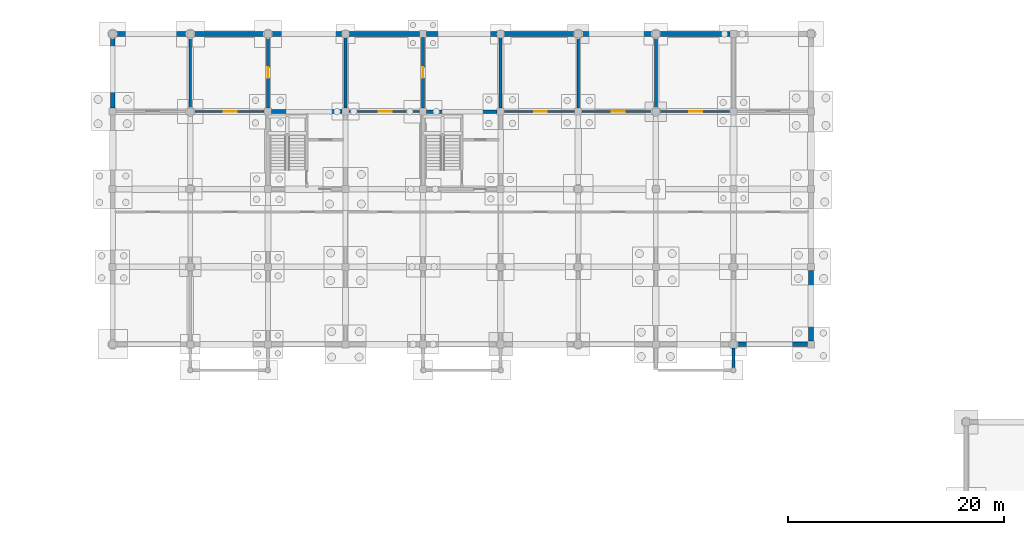
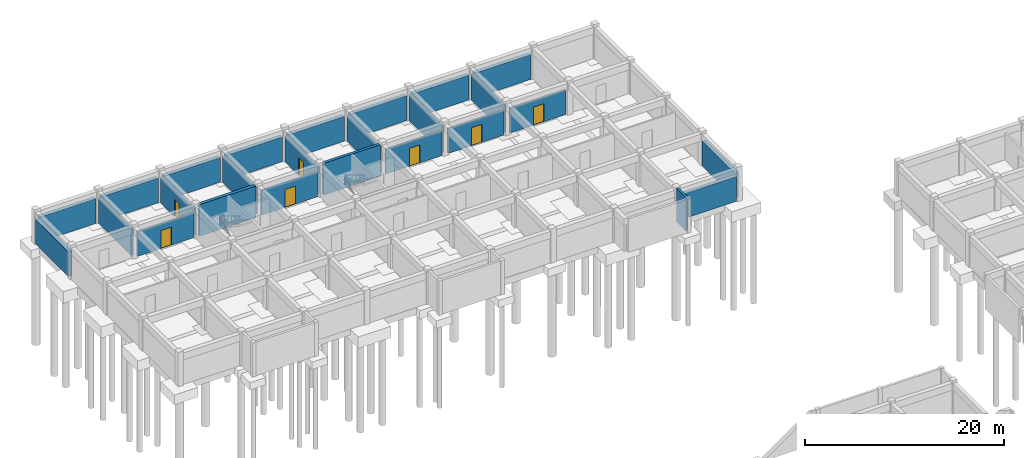
# One storey, part 32 of 38: 26 walls, 7 doors, 7 openings.
"""IFC4 building model written with IfcOpenShell, lengths in metres."""

import ifcopenshell
import ifcopenshell.guid

model = None  # the IFC model being written
_history = None  # IfcOwnerHistory: only IFC2X3 demands one
_inside = {}  # id of a spatial element -> (the spatial element, [elements in it])
_under = {}  # id of a project, library or spatial element -> (it, [spatial elements below it])
_declared = {}  # id of a project -> (the project, [libraries it declares])
_typed = {}  # id of a type object -> (the type object, [elements of that type])
_made_of = {}  # id of a material, layer set ... -> (it, [elements and type objects made of it])


def new_model(schema):
    """Start an empty IFC model of exactly this schema.

    Asked for "IFC4X3", IfcOpenShell would pick the latest addendum, in which some entities
    have other attributes; the version numbers below select the first issue.
    IFC2X3 requires an IfcOwnerHistory on every rooted entity: one is made here for all.
    """
    global model, _history
    if schema == "IFC4X3":
        model = ifcopenshell.file(schema_version=(4, 3, 0, 0))
    else:
        model = ifcopenshell.file(schema=schema)
    _inside.clear()
    _under.clear()
    _declared.clear()
    _typed.clear()
    _made_of.clear()
    _history = None
    if model.schema == "IFC2X3":
        org = make("IfcOrganization", Name="unknown")
        user = make(
            "IfcPersonAndOrganization",
            ThePerson=make("IfcPerson", FamilyName="unknown"),
            TheOrganization=org,
        )
        app = make(
            "IfcApplication",
            ApplicationDeveloper=org,
            Version="unknown",
            ApplicationFullName="unknown",
            ApplicationIdentifier="unknown",
        )
        _history = make(
            "IfcOwnerHistory",
            OwningUser=user,
            OwningApplication=app,
            ChangeAction="ADDED",
            CreationDate=0,
        )
    return model


def make(cls, **values):
    """One entity of the class cls with the attributes given. An attribute that is None is left unset."""
    return model.create_entity(
        cls, **{name: value for name, value in values.items() if value is not None}
    )


def rooted(cls, **values):
    """An entity with a GlobalId (a new one), such as an element, a storey or a relation."""
    return make(cls, GlobalId=ifcopenshell.guid.new(), OwnerHistory=_history, **values)


def si_unit(unit_type, name, prefix=None):
    """IfcSIUnit, for example si_unit("LENGTHUNIT", "METRE", prefix="MILLI")."""
    return make("IfcSIUnit", UnitType=unit_type, Prefix=prefix, Name=name)


def assignment(units):
    """IfcUnitAssignment: the units of a project."""
    return None if units is None else make("IfcUnitAssignment", Units=units)


def point(xyz):
    """IfcCartesianPoint."""
    return None if xyz is None else make("IfcCartesianPoint", Coordinates=xyz)


def direction(xyz):
    """IfcDirection."""
    return None if xyz is None else make("IfcDirection", DirectionRatios=xyz)


def frame(location, z_axis=None, x_axis=None):
    """IfcAxis2Placement3D, a coordinate frame: its origin and axes. An axis left out is left unset."""
    return make(
        "IfcAxis2Placement3D",
        Location=point(location),
        Axis=direction(z_axis),
        RefDirection=direction(x_axis),
    )


def frame_2d(location, x_axis=None):
    """IfcAxis2Placement2D, a coordinate frame in the plane: its origin and x axis."""
    return make(
        "IfcAxis2Placement2D", Location=point(location), RefDirection=direction(x_axis)
    )


def origin():
    """The frame at (0, 0, 0) with its axes left unset."""
    return frame((0.0, 0.0, 0.0))


def place(relative_to, where):
    """IfcLocalPlacement: puts the frame where relative to a parent placement (None: the world)."""
    return make(
        "IfcLocalPlacement", PlacementRelTo=relative_to, RelativePlacement=where
    )


def context(
    kind, dimensions, precision=None, world=None, true_north=None, identifier=None
):
    """IfcGeometricRepresentationContext, for example the 3D "Model" context."""
    return make(
        "IfcGeometricRepresentationContext",
        ContextIdentifier=identifier,
        ContextType=kind,
        CoordinateSpaceDimension=dimensions,
        Precision=precision,
        WorldCoordinateSystem=world,
        TrueNorth=true_north,
    )


def subcontext(parent, identifier, kind, view, scale=None):
    """IfcGeometricRepresentationSubContext, for example "Body" below "Model"."""
    return make(
        "IfcGeometricRepresentationSubContext",
        ContextIdentifier=identifier,
        ContextType=kind,
        ParentContext=parent,
        TargetScale=scale,
        TargetView=view,
    )


def project(units=None, contexts=None):
    """IfcProject with its units and contexts."""
    return rooted(
        "IfcProject",
        Name="project",
        RepresentationContexts=contexts,
        UnitsInContext=assignment(units),
    )


def spatial(cls, under=None, at=None, **own):
    """A site, building, storey or space (cls), placed at a placement, below another one or the project."""
    s = rooted(cls, ObjectPlacement=at, **own)
    if under is not None:
        _under.setdefault(under.id(), (under, []))[1].append(s)
    return s


def profile(cls, at=None, kind="AREA", **sizes):
    """A parametric profile (cls). Its sizes go by their IFC names, for example OverallWidth=200.0."""
    return make(cls, ProfileType=kind, Position=at, **sizes)


def rectangle(**sizes):
    """IfcRectangleProfileDef."""
    return profile("IfcRectangleProfileDef", **sizes)


def extrude(swept, where, along, depth):
    """IfcExtrudedAreaSolid: the profile swept, set in the frame where, extruded along a direction by depth."""
    return make(
        "IfcExtrudedAreaSolid",
        SweptArea=swept,
        Position=where,
        ExtrudedDirection=direction(along),
        Depth=depth,
    )


def shape(context_of_items, identifier, shape_type, items):
    """IfcShapeRepresentation: the items that make up one representation, for example the "Body"."""
    return make(
        "IfcShapeRepresentation",
        ContextOfItems=context_of_items,
        RepresentationIdentifier=identifier,
        RepresentationType=shape_type,
        Items=items,
    )


def material(Name=None, Category=None):
    """IfcMaterial."""
    return make("IfcMaterial", Name=Name, Category=Category)


def layer(
    of_material, thickness, ventilated=None, Name=None, Category=None, Priority=None
):
    """IfcMaterialLayer: one layer of a wall or slab, of a material (None: an air gap)."""
    return make(
        "IfcMaterialLayer",
        Material=of_material,
        LayerThickness=thickness,
        IsVentilated=ventilated,
        Name=Name,
        Category=Category,
        Priority=Priority,
    )


def layer_set(layers, Name=None):
    """IfcMaterialLayerSet."""
    return make("IfcMaterialLayerSet", MaterialLayers=layers, LayerSetName=Name)


def made_of(thing, what):
    """Note that an element or type object is made of a material, layer set ...; save() writes the relation."""
    if what is not None:
        _made_of.setdefault(what.id(), (what, []))[1].append(thing)
    return thing


def type_object(cls, material=None, **own):
    """A type object (cls), such as IfcWallType, which elements share."""
    return made_of(rooted(cls, **own), material)


def element(
    cls,
    number,
    at=None,
    inside=None,
    cuts=None,
    type_object=None,
    material=None,
    context=None,
    identifier="Body",
    shape_type=None,
    held_by="IfcProductDefinitionShape",
    body=None,
    shapes=None,
    **own,
):
    """One element of the class cls, such as IfcWall. Its Tag is "e" and its number.

    at: its placement. inside: the storey or other place that contains it. cuts: it is an
    opening in that element (IfcRelVoidsElement). A single representation is given by context,
    identifier, shape_type and body (its items); several are given by shapes. held_by: the class
    of the entity that holds the representations. save() writes the other relations.
    """
    e = rooted(cls, Tag="e%d" % number, ObjectPlacement=at, **own)
    if body is not None:
        shapes = [shape(context, identifier, shape_type, body)]
    if shapes is not None:
        e.Representation = make(held_by, Representations=shapes)
    if inside is not None:
        _inside.setdefault(inside.id(), (inside, []))[1].append(e)
    if cuts is not None:
        rooted(
            "IfcRelVoidsElement", RelatingBuildingElement=cuts, RelatedOpeningElement=e
        )
    if type_object is not None:
        _typed.setdefault(type_object.id(), (type_object, []))[1].append(e)
    return made_of(e, material)


def fill(opening, filler):
    """IfcRelFillsElement: the door or window that sits in an opening."""
    return rooted(
        "IfcRelFillsElement",
        RelatingOpeningElement=opening,
        RelatedBuildingElement=filler,
    )


def aggregate(whole, parts):
    """IfcRelAggregates: a whole, such as a stair, and the parts it consists of."""
    return rooted("IfcRelAggregates", RelatingObject=whole, RelatedObjects=parts)


def save(model, path):
    """Write the relations noted so far, then the file.

    IfcRelAggregates (storeys below a building ...), IfcRelContainedInSpatialStructure (elements
    in a storey), IfcRelDefinesByType, IfcRelAssociatesMaterial and IfcRelDeclares: one each for
    every whole, place, type object, material and project.
    """
    for whole, parts in _under.values():
        aggregate(whole, parts)
    for where, things in _inside.values():
        rooted(
            "IfcRelContainedInSpatialStructure",
            RelatedElements=things,
            RelatingStructure=where,
        )
    for kind, things in _typed.values():
        rooted("IfcRelDefinesByType", RelatedObjects=things, RelatingType=kind)
    for what, things in _made_of.values():
        rooted("IfcRelAssociatesMaterial", RelatedObjects=things, RelatingMaterial=what)
    for by, libraries in _declared.values():
        rooted("IfcRelDeclares", RelatingContext=by, RelatedDefinitions=libraries)
    model.write(path)


model = new_model("IFC4")

# Units and contexts
model_context = context("Model", 3, precision=1e-05, world=origin(), true_north=direction((0.0, 1.0)))
body_context = subcontext(model_context, "Body", "Model", "MODEL_VIEW")
ifc_project = project(units=[si_unit("LENGTHUNIT", "METRE"), si_unit("AREAUNIT", "SQUARE_METRE"), si_unit("VOLUMEUNIT", "CUBIC_METRE"), si_unit("PLANEANGLEUNIT", "RADIAN"), si_unit("MASSUNIT", "GRAM", prefix="KILO"), si_unit("THERMODYNAMICTEMPERATUREUNIT", "KELVIN"), si_unit("POWERUNIT", "WATT")], contexts=[model_context])

# Site, building, storey
site_placement = place(None, origin())
site = spatial("IfcSite", under=ifc_project, at=site_placement, CompositionType="ELEMENT")
building_placement = place(site_placement, origin())
building = spatial("IfcBuilding", under=site, at=building_placement, Name="Tavuni Mirador Residences", CompositionType="ELEMENT")
storey_placement = place(building_placement, frame((0.0, 0.0, -4.199951171875)))
storey = spatial("IfcBuildingStorey", under=building, at=storey_placement, Name="B1", CompositionType="ELEMENT", Elevation=-4.199951171875)

# Walls
ifc_material_1 = material(Name="Precast concrete C40/50", Category="concrete")
ifc_layer_1 = layer(ifc_material_1, 0.320068359375, Name="Precast concrete C40/50", Category="concrete")
ifc_layer_set_1 = layer_set([ifc_layer_1], Name="Precast concrete C40/50")
wall_type_1 = type_object("IfcWallType", Name="WT-COR320", PredefinedType="SHEAR", material=ifc_layer_set_1)
wall_1_placement = place(storey_placement, frame((39.925048828125, 165.60009765625, 0.0), z_axis=(0.0, 0.0, 1.0), x_axis=(1.0, 0.0, 0.0)))
element("IfcWall", 1, at=wall_1_placement, inside=storey, type_object=wall_type_1, Name="CWALL-C6-B1-N", PredefinedType="SHEAR", context=body_context, shape_type="SweptSolid", body=[
    extrude(rectangle(XDim=6.550048828125, YDim=0.320068359375, at=frame_2d((3.27490234375, 0.0))), origin(), (0.0, 0.0, 1.0), 3.8798828125),
])
ifc_layer_2 = layer(ifc_material_1, 0.360107421875, Name="Precast concrete C40/50", Category="concrete")
ifc_layer_set_2 = layer_set([ifc_layer_2], Name="Precast concrete C40/50")
wall_type_2 = type_object("IfcWallType", Name="WT-COR360", PredefinedType="SHEAR", material=ifc_layer_set_2)
wall_2_placement = place(storey_placement, frame((25.52490234375, 165.60009765625, 0.0), z_axis=(0.0, 0.0, 1.0), x_axis=(1.0, 0.0, 0.0)))
element("IfcWall", 2, at=wall_2_placement, inside=storey, type_object=wall_type_2, Name="CWALL-C5-B1-N", PredefinedType="SHEAR", context=body_context, shape_type="SweptSolid", body=[
    extrude(rectangle(XDim=6.550048828125, YDim=0.360107421875, at=frame_2d((3.27490234375, 0.0))), origin(), (0.0, 0.0, 1.0), 3.8798828125),
])

# Wall, opening, door
ifc_layer_3 = layer(ifc_material_1, 0.18505859375, Name="Precast concrete C40/50", Category="concrete")
ifc_layer_set_3 = layer_set([ifc_layer_3], Name="Precast concrete C40/50")
wall_type_3 = type_object("IfcWallType", Name="WT-CORR185", PredefinedType="PARTITIONING", material=ifc_layer_set_3)
wall_3_placement = place(storey_placement, frame((18.35009765625, 165.60009765625, 0.0), z_axis=(0.0, 0.0, 1.0), x_axis=(1.0, 0.0, 0.0)))
wall_3 = element("IfcWall", 3, at=wall_3_placement, inside=storey, type_object=wall_type_3, Name="CORW-BLK-C-B1-1-01", PredefinedType="PARTITIONING", context=body_context, shape_type="SweptSolid", body=[
    extrude(rectangle(XDim=6.5, YDim=0.18505859375, at=frame_2d((3.25, 0.0))), origin(), (0.0, 0.0, 1.0), 3.030029296875),
])
opening_1_placement = place(wall_3_placement, frame((2.75, 0.0, 0.0)))
opening_1 = element("IfcOpeningElement", 4, at=opening_1_placement, cuts=wall_3, Name="Opening D-18", PredefinedType="OPENING", context=body_context, shape_type="SweptSolid", body=[
    extrude(rectangle(XDim=1.199951171875, YDim=2.199951171875, at=frame_2d((0.60009765625, 1.10009765625))), frame((0.0, 0.1025390625, 0.0), z_axis=(0.0, -1.0, 0.0), x_axis=(1.0, 0.0, 0.0)), (0.0, 0.0, 1.0), 0.205078125),
])
ifc_material_2 = material(Name="Structural steel S355", Category="steel")
door_type_1 = type_object("IfcDoorType", Name="DT-PLT1200", OperationType="NOTDEFINED", PredefinedType="DOOR", material=ifc_material_2)
door_1_placement = place(opening_1_placement, origin())
door_1 = element("IfcDoor", 5, at=door_1_placement, inside=storey, type_object=door_type_1, Name="DR-2605", OperationType="SINGLE_SWING_RIGHT", OverallHeight=2.199951171875, OverallWidth=1.199951171875, PredefinedType="DOOR", context=body_context, shape_type="SweptSolid", body=[
    extrude(rectangle(XDim=1.199951171875, YDim=2.199951171875, at=frame_2d((0.60009765625, 1.10009765625))), frame((0.0, 0.02490234375, 0.0), z_axis=(0.0, -1.0, 0.0), x_axis=(1.0, 0.0, 0.0)), (0.0, 0.0, 1.0), 0.050048828125),
])
fill(opening_1, door_1)

wall_4_placement = place(storey_placement, frame((32.75, 165.60009765625, 0.0), z_axis=(0.0, 0.0, 1.0), x_axis=(1.0, 0.0, 0.0)))
wall_4 = element("IfcWall", 6, at=wall_4_placement, inside=storey, type_object=wall_type_3, Name="CORW-BLK-C-B1-1-03", PredefinedType="PARTITIONING", context=body_context, shape_type="SweptSolid", body=[
    extrude(rectangle(XDim=6.5, YDim=0.18505859375, at=frame_2d((3.25, 0.0))), origin(), (0.0, 0.0, 1.0), 3.030029296875),
])
opening_2_placement = place(wall_4_placement, frame((2.75, 0.0, 0.0)))
opening_2 = element("IfcOpeningElement", 7, at=opening_2_placement, cuts=wall_4, Name="Opening D-18", PredefinedType="OPENING", context=body_context, shape_type="SweptSolid", body=[
    extrude(rectangle(XDim=1.199951171875, YDim=2.199951171875, at=frame_2d((0.60009765625, 1.10009765625))), frame((0.0, 0.1025390625, 0.0), z_axis=(0.0, -1.0, 0.0), x_axis=(1.0, 0.0, 0.0)), (0.0, 0.0, 1.0), 0.205078125),
])
door_2_placement = place(opening_2_placement, origin())
door_2 = element("IfcDoor", 8, at=door_2_placement, inside=storey, type_object=door_type_1, Name="DR-2606", OperationType="SINGLE_SWING_LEFT", OverallHeight=2.199951171875, OverallWidth=1.199951171875, PredefinedType="DOOR", context=body_context, shape_type="SweptSolid", body=[
    extrude(rectangle(XDim=1.199951171875, YDim=2.199951171875, at=frame_2d((0.60009765625, 1.10009765625))), frame((0.0, 0.02490234375, 0.0), z_axis=(0.0, -1.0, 0.0), x_axis=(1.0, 0.0, 0.0)), (0.0, 0.0, 1.0), 0.050048828125),
])
fill(opening_2, door_2)

wall_5_placement = place(storey_placement, frame((47.14990234375, 165.60009765625, 0.0), z_axis=(0.0, 0.0, 1.0), x_axis=(1.0, 0.0, 0.0)))
wall_5 = element("IfcWall", 9, at=wall_5_placement, inside=storey, type_object=wall_type_3, Name="CORW-BLK-C-B1-1-05", PredefinedType="PARTITIONING", context=body_context, shape_type="SweptSolid", body=[
    extrude(rectangle(XDim=6.5, YDim=0.18505859375, at=frame_2d((3.25, 0.0))), origin(), (0.0, 0.0, 1.0), 3.030029296875),
])
opening_3_placement = place(wall_5_placement, frame((2.75, 0.0, 0.0)))
opening_3 = element("IfcOpeningElement", 10, at=opening_3_placement, cuts=wall_5, Name="Opening D-18", PredefinedType="OPENING", context=body_context, shape_type="SweptSolid", body=[
    extrude(rectangle(XDim=1.199951171875, YDim=2.199951171875, at=frame_2d((0.60009765625, 1.10009765625))), frame((0.0, 0.1025390625, 0.0), z_axis=(0.0, -1.0, 0.0), x_axis=(1.0, 0.0, 0.0)), (0.0, 0.0, 1.0), 0.205078125),
])
door_3_placement = place(opening_3_placement, origin())
door_3 = element("IfcDoor", 11, at=door_3_placement, inside=storey, type_object=door_type_1, Name="DR-2607", OperationType="SINGLE_SWING_RIGHT", OverallHeight=2.199951171875, OverallWidth=1.199951171875, PredefinedType="DOOR", context=body_context, shape_type="SweptSolid", body=[
    extrude(rectangle(XDim=1.199951171875, YDim=2.199951171875, at=frame_2d((0.60009765625, 1.10009765625))), frame((0.0, 0.02490234375, 0.0), z_axis=(0.0, -1.0, 0.0), x_axis=(1.0, 0.0, 0.0)), (0.0, 0.0, 1.0), 0.050048828125),
])
fill(opening_3, door_3)

wall_6_placement = place(storey_placement, frame((54.35009765625, 165.60009765625, 0.0), z_axis=(0.0, 0.0, 1.0), x_axis=(1.0, 0.0, 0.0)))
wall_6 = element("IfcWall", 12, at=wall_6_placement, inside=storey, type_object=wall_type_3, Name="CORW-BLK-C-B1-1-06", PredefinedType="PARTITIONING", context=body_context, shape_type="SweptSolid", body=[
    extrude(rectangle(XDim=6.5, YDim=0.18505859375, at=frame_2d((3.25, 0.0))), origin(), (0.0, 0.0, 1.0), 3.030029296875),
])
opening_4_placement = place(wall_6_placement, frame((2.75, 0.0, 0.0)))
opening_4 = element("IfcOpeningElement", 13, at=opening_4_placement, cuts=wall_6, Name="Opening D-18", PredefinedType="OPENING", context=body_context, shape_type="SweptSolid", body=[
    extrude(rectangle(XDim=1.199951171875, YDim=2.199951171875, at=frame_2d((0.60009765625, 1.10009765625))), frame((0.0, 0.1025390625, 0.0), z_axis=(0.0, -1.0, 0.0), x_axis=(1.0, 0.0, 0.0)), (0.0, 0.0, 1.0), 0.205078125),
])
door_4_placement = place(opening_4_placement, origin())
door_4 = element("IfcDoor", 14, at=door_4_placement, inside=storey, type_object=door_type_1, Name="DR-2608", OperationType="SINGLE_SWING_LEFT", OverallHeight=2.199951171875, OverallWidth=1.199951171875, PredefinedType="DOOR", context=body_context, shape_type="SweptSolid", body=[
    extrude(rectangle(XDim=1.199951171875, YDim=2.199951171875, at=frame_2d((0.60009765625, 1.10009765625))), frame((0.0, 0.02490234375, 0.0), z_axis=(0.0, -1.0, 0.0), x_axis=(1.0, 0.0, 0.0)), (0.0, 0.0, 1.0), 0.050048828125),
])
fill(opening_4, door_4)

wall_7_placement = place(storey_placement, frame((61.550048828125, 165.60009765625, 0.0), z_axis=(0.0, 0.0, 1.0), x_axis=(1.0, 0.0, 0.0)))
wall_7 = element("IfcWall", 15, at=wall_7_placement, inside=storey, type_object=wall_type_3, Name="CORW-BLK-C-B1-1-07", PredefinedType="PARTITIONING", context=body_context, shape_type="SweptSolid", body=[
    extrude(rectangle(XDim=6.5, YDim=0.18505859375, at=frame_2d((3.25, 0.0))), origin(), (0.0, 0.0, 1.0), 3.030029296875),
])
opening_5_placement = place(wall_7_placement, frame((2.75, 0.0, 0.0)))
opening_5 = element("IfcOpeningElement", 16, at=opening_5_placement, cuts=wall_7, Name="Opening D-18", PredefinedType="OPENING", context=body_context, shape_type="SweptSolid", body=[
    extrude(rectangle(XDim=1.199951171875, YDim=2.199951171875, at=frame_2d((0.60009765625, 1.10009765625))), frame((0.0, 0.1025390625, 0.0), z_axis=(0.0, -1.0, 0.0), x_axis=(1.0, 0.0, 0.0)), (0.0, 0.0, 1.0), 0.205078125),
])
door_5_placement = place(opening_5_placement, origin())
door_5 = element("IfcDoor", 17, at=door_5_placement, inside=storey, type_object=door_type_1, Name="DR-2609", OperationType="SINGLE_SWING_RIGHT", OverallHeight=2.199951171875, OverallWidth=1.199951171875, PredefinedType="DOOR", context=body_context, shape_type="SweptSolid", body=[
    extrude(rectangle(XDim=1.199951171875, YDim=2.199951171875, at=frame_2d((0.60009765625, 1.10009765625))), frame((0.0, 0.02490234375, 0.0), z_axis=(0.0, -1.0, 0.0), x_axis=(1.0, 0.0, 0.0)), (0.0, 0.0, 1.0), 0.050048828125),
])
fill(opening_5, door_5)

# Walls
ifc_material_3 = material(Name="In-situ concrete C35/45", Category="concrete")
ifc_layer_4 = layer(ifc_material_3, 0.419921875, Name="In-situ concrete C35/45", Category="concrete")
ifc_layer_set_4 = layer_set([ifc_layer_4], Name="In-situ concrete C35/45")
wall_type_4 = type_object("IfcWallType", Name="WT-RET420", PredefinedType="USERDEFINED", material=ifc_layer_set_4)
for number, where, z_axis, x_axis, name in (
    (18, (17.675048828125, 172.800048828125, 0.0), (0.0, 0.0, 1.0), (-1.0, 0.0, 0.0), "RET-BLK-C-N-00"),
    (19, (24.875, 172.800048828125, 0.0), (0.0, 0.0, 1.0), (-1.0, 0.0, 0.0), "RET-BLK-C-N-01"),
    (20, (32.074951171875, 172.800048828125, 0.0), (0.0, 0.0, 1.0), (-1.0, 0.0, 0.0), "RET-BLK-C-N-02"),
):
    element("IfcWall", number, at=place(storey_placement, frame(where, z_axis=z_axis, x_axis=x_axis)), inside=storey, type_object=wall_type_4, Name=name, ObjectType="RETAINING WALL", PredefinedType="USERDEFINED", context=body_context, shape_type="SweptSolid", body=[
        extrude(rectangle(XDim=6.550048828125, YDim=0.419921875, at=frame_2d((3.27490234375, 0.0))), origin(), (0.0, 0.0, 1.0), 3.030029296875),
    ])
wall_8_placement = place(storey_placement, frame((39.27490234375, 172.800048828125, 0.0), z_axis=(0.0, 0.0, 1.0), x_axis=(-1.0, 0.0, 0.0)))
element("IfcWall", 21, at=wall_8_placement, inside=storey, type_object=wall_type_4, Name="RET-BLK-C-N-03", ObjectType="RETAINING WALL", PredefinedType="USERDEFINED", context=body_context, shape_type="SweptSolid", body=[
    extrude(rectangle(XDim=6.5498046875, YDim=0.419921875, at=frame_2d((3.27490234375, 0.0))), origin(), (0.0, 0.0, 1.0), 3.030029296875),
])
for number, where, z_axis, x_axis, name in (
    (22, (46.47509765625, 172.800048828125, 0.0), (0.0, 0.0, 1.0), (-1.0, 0.0, 0.0), "RET-BLK-C-N-04"),
    (23, (53.675048828125, 172.800048828125, 0.0), (0.0, 0.0, 1.0), (-1.0, 0.0, 0.0), "RET-BLK-C-N-05"),
    (24, (60.875, 172.800048828125, 0.0), (0.0, 0.0, 1.0), (-1.0, 0.0, 0.0), "RET-BLK-C-N-06"),
    (25, (68.074951171875, 172.800048828125, 0.0), (0.0, 0.0, 1.0), (-1.0, 0.0, 0.0), "RET-BLK-C-N-07"),
):
    element("IfcWall", number, at=place(storey_placement, frame(where, z_axis=z_axis, x_axis=x_axis)), inside=storey, type_object=wall_type_4, Name=name, ObjectType="RETAINING WALL", PredefinedType="USERDEFINED", context=body_context, shape_type="SweptSolid", body=[
        extrude(rectangle(XDim=6.550048828125, YDim=0.419921875, at=frame_2d((3.27490234375, 0.0))), origin(), (0.0, 0.0, 1.0), 3.030029296875),
    ])
wall_9_placement = place(storey_placement, frame((68.72509765625, 144.0, 0.0), z_axis=(0.0, 0.0, 1.0), x_axis=(1.0, 0.0, 0.0)))
element("IfcWall", 26, at=wall_9_placement, inside=storey, type_object=wall_type_4, Name="RET-BLK-C-S-08", ObjectType="RETAINING WALL", PredefinedType="USERDEFINED", context=body_context, shape_type="SweptSolid", body=[
    extrude(rectangle(XDim=6.5498046875, YDim=0.419921875, at=frame_2d((3.27490234375, 0.0))), origin(), (0.0, 0.0, 1.0), 3.030029296875),
])
for number, where, z_axis, x_axis, name in (
    (27, (75.60009765625, 144.324951171875, 0.0), (0.0, 0.0, 1.0), (0.0, 1.0, 0.0), "RET-BLK-C-E-00"),
    (28, (10.800048828125, 172.47509765625, 0.0), (0.0, 0.0, 1.0), (0.0, -1.0, 0.0), "RET-BLK-C-W-03"),
):
    element("IfcWall", number, at=place(storey_placement, frame(where, z_axis=z_axis, x_axis=x_axis)), inside=storey, type_object=wall_type_4, Name=name, ObjectType="RETAINING WALL", PredefinedType="USERDEFINED", context=body_context, shape_type="SweptSolid", body=[
        extrude(rectangle(XDim=6.550048828125, YDim=0.419921875, at=frame_2d((3.27490234375, 0.0))), origin(), (0.0, 0.0, 1.0), 3.030029296875),
    ])
ifc_layer_5 = layer(ifc_material_1, 0.264892578125, Name="Precast concrete C40/50", Category="concrete")
ifc_layer_set_5 = layer_set([ifc_layer_5], Name="Precast concrete C40/50")
wall_type_5 = type_object("IfcWallType", Name="WT-XW265", PredefinedType="SOLIDWALL", material=ifc_layer_set_5)
wall_10_placement = place(storey_placement, frame((68.39990234375, 141.81005859375, 0.0), z_axis=(0.0, 0.0, 1.0), x_axis=(0.0, 1.0, 0.0)))
element("IfcWall", 29, at=wall_10_placement, inside=storey, type_object=wall_type_5, Name="RET-APR-BLKC-S3-E0", PredefinedType="SOLIDWALL", context=body_context, shape_type="SweptSolid", body=[
    extrude(rectangle(XDim=1.864990234375, YDim=0.264892578125, at=frame_2d((0.9326171875, 0.0))), origin(), (0.0, 0.0, 1.0), 4.119873046875),
])
wall_11_placement = place(storey_placement, frame((18.0, 165.925048828125, 0.0), z_axis=(0.0, 0.0, 1.0), x_axis=(0.0, 1.0, 0.0)))
element("IfcWall", 30, at=wall_11_placement, inside=storey, type_object=wall_type_5, Name="XW-BLK-C-B1-N-01", PredefinedType="SOLIDWALL", context=body_context, shape_type="SweptSolid", body=[
    extrude(rectangle(XDim=6.550048828125, YDim=0.264892578125, at=frame_2d((3.27490234375, 0.0))), origin(), (0.0, 0.0, 1.0), 3.179931640625),
])

# Wall, opening, door
wall_12_placement = place(storey_placement, frame((25.199951171875, 165.925048828125, 0.0), z_axis=(0.0, 0.0, 1.0), x_axis=(0.0, 1.0, 0.0)))
wall_12 = element("IfcWall", 31, at=wall_12_placement, inside=storey, type_object=wall_type_5, Name="XW-BLK-C-B1-N-02", PredefinedType="SOLIDWALL", context=body_context, shape_type="SweptSolid", body=[
    extrude(rectangle(XDim=6.550048828125, YDim=0.264892578125, at=frame_2d((3.27490234375, 0.0))), origin(), (0.0, 0.0, 1.0), 3.179931640625),
])
opening_6_placement = place(wall_12_placement, frame((2.800048828125, 0.0, 0.0)))
opening_6 = element("IfcOpeningElement", 32, at=opening_6_placement, cuts=wall_12, Name="Opening D-04", PredefinedType="OPENING", context=body_context, shape_type="SweptSolid", body=[
    extrude(rectangle(XDim=0.97998046875, YDim=2.1201171875, at=frame_2d((0.489990234375, 1.06005859375))), frame((0.0, 0.142578125, 0.0), z_axis=(0.0, -1.0, 0.0), x_axis=(1.0, 0.0, 0.0)), (0.0, 0.0, 1.0), 0.284912109375),
])
ifc_material_4 = material(Name="Solid core iroko timber", Category="wood")
door_type_2 = type_object("IfcDoorType", Name="DT-FD60-980", OperationType="NOTDEFINED", PredefinedType="DOOR", material=ifc_material_4)
door_6_placement = place(opening_6_placement, origin())
door_6 = element("IfcDoor", 33, at=door_6_placement, inside=storey, type_object=door_type_2, Name="DR-4726", OperationType="SINGLE_SWING_LEFT", OverallHeight=2.1201171875, OverallWidth=0.97998046875, PredefinedType="DOOR", context=body_context, shape_type="SweptSolid", body=[
    extrude(rectangle(XDim=0.97998046875, YDim=2.1201171875, at=frame_2d((0.489990234375, 1.06005859375))), frame((0.0, 0.02490234375, 0.0), z_axis=(0.0, -1.0, 0.0), x_axis=(1.0, 0.0, 0.0)), (0.0, 0.0, 1.0), 0.050048828125),
])
fill(opening_6, door_6)

# Wall
wall_13_placement = place(storey_placement, frame((32.39990234375, 165.925048828125, 0.0), z_axis=(0.0, 0.0, 1.0), x_axis=(0.0, 1.0, 0.0)))
element("IfcWall", 34, at=wall_13_placement, inside=storey, type_object=wall_type_5, Name="XW-BLK-C-B1-N-03", PredefinedType="SOLIDWALL", context=body_context, shape_type="SweptSolid", body=[
    extrude(rectangle(XDim=6.550048828125, YDim=0.264892578125, at=frame_2d((3.27490234375, 0.0))), origin(), (0.0, 0.0, 1.0), 3.179931640625),
])

# Wall, opening, door
wall_14_placement = place(storey_placement, frame((39.60009765625, 165.925048828125, 0.0), z_axis=(0.0, 0.0, 1.0), x_axis=(0.0, 1.0, 0.0)))
wall_14 = element("IfcWall", 35, at=wall_14_placement, inside=storey, type_object=wall_type_5, Name="XW-BLK-C-B1-N-04", PredefinedType="SOLIDWALL", context=body_context, shape_type="SweptSolid", body=[
    extrude(rectangle(XDim=6.550048828125, YDim=0.264892578125, at=frame_2d((3.27490234375, 0.0))), origin(), (0.0, 0.0, 1.0), 3.179931640625),
])
opening_7_placement = place(wall_14_placement, frame((2.800048828125, 0.0, 0.0)))
opening_7 = element("IfcOpeningElement", 36, at=opening_7_placement, cuts=wall_14, Name="Opening D-04", PredefinedType="OPENING", context=body_context, shape_type="SweptSolid", body=[
    extrude(rectangle(XDim=0.97998046875, YDim=2.1201171875, at=frame_2d((0.489990234375, 1.06005859375))), frame((0.0, 0.142578125, 0.0), z_axis=(0.0, -1.0, 0.0), x_axis=(1.0, 0.0, 0.0)), (0.0, 0.0, 1.0), 0.284912109375),
])
door_7_placement = place(opening_7_placement, origin())
door_7 = element("IfcDoor", 37, at=door_7_placement, inside=storey, type_object=door_type_2, Name="DR-4727", OperationType="SINGLE_SWING_RIGHT", OverallHeight=2.1201171875, OverallWidth=0.97998046875, PredefinedType="DOOR", context=body_context, shape_type="SweptSolid", body=[
    extrude(rectangle(XDim=0.97998046875, YDim=2.1201171875, at=frame_2d((0.489990234375, 1.06005859375))), frame((0.0, 0.02490234375, 0.0), z_axis=(0.0, -1.0, 0.0), x_axis=(1.0, 0.0, 0.0)), (0.0, 0.0, 1.0), 0.050048828125),
])
fill(opening_7, door_7)

# Walls
for number, where, z_axis, x_axis, name in (
    (38, (46.800048828125, 165.925048828125, 0.0), (0.0, 0.0, 1.0), (0.0, 1.0, 0.0), "XW-BLK-C-B1-N-05"),
    (39, (54.0, 165.925048828125, 0.0), (0.0, 0.0, 1.0), (0.0, 1.0, 0.0), "XW-BLK-C-B1-N-06"),
    (40, (61.199951171875, 165.925048828125, 0.0), (0.0, 0.0, 1.0), (0.0, 1.0, 0.0), "XW-BLK-C-B1-N-07"),
):
    element("IfcWall", number, at=place(storey_placement, frame(where, z_axis=z_axis, x_axis=x_axis)), inside=storey, type_object=wall_type_5, Name=name, PredefinedType="SOLIDWALL", context=body_context, shape_type="SweptSolid", body=[
        extrude(rectangle(XDim=6.550048828125, YDim=0.264892578125, at=frame_2d((3.27490234375, 0.0))), origin(), (0.0, 0.0, 1.0), 3.179931640625),
    ])

save(model, "model.ifc")
